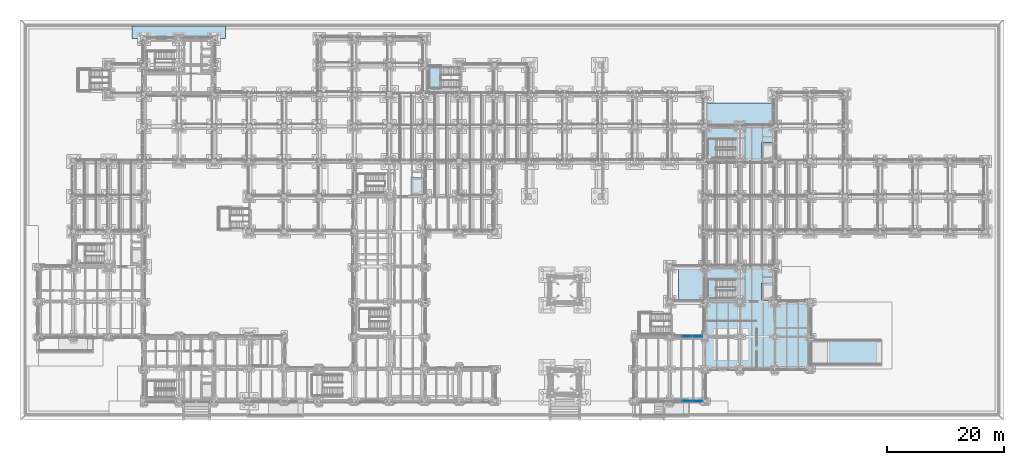
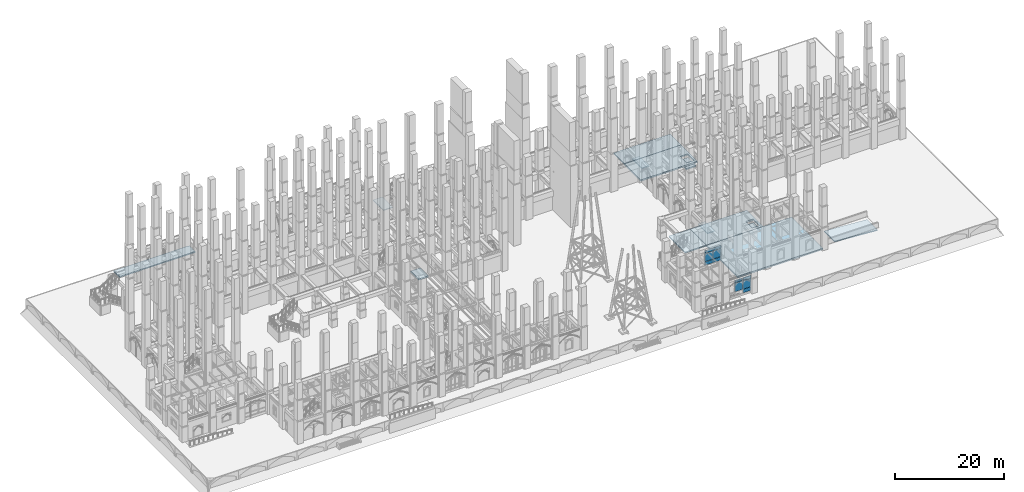
# One storey, part 55 of 135: 13 slabs, 11 plates, 6 elements without a shape of their own.
"""IFC4 building model written with IfcOpenShell, lengths in metres."""

import ifcopenshell
import ifcopenshell.guid

model = None  # the IFC model being written
_history = None  # IfcOwnerHistory: only IFC2X3 demands one
_inside = {}  # id of a spatial element -> (the spatial element, [elements in it])
_under = {}  # id of a project, library or spatial element -> (it, [spatial elements below it])
_declared = {}  # id of a project -> (the project, [libraries it declares])
_typed = {}  # id of a type object -> (the type object, [elements of that type])
_made_of = {}  # id of a material, layer set ... -> (it, [elements and type objects made of it])


def new_model(schema):
    """Start an empty IFC model of exactly this schema.

    Asked for "IFC4X3", IfcOpenShell would pick the latest addendum, in which some entities
    have other attributes; the version numbers below select the first issue.
    IFC2X3 requires an IfcOwnerHistory on every rooted entity: one is made here for all.
    """
    global model, _history
    if schema == "IFC4X3":
        model = ifcopenshell.file(schema_version=(4, 3, 0, 0))
    else:
        model = ifcopenshell.file(schema=schema)
    _inside.clear()
    _under.clear()
    _declared.clear()
    _typed.clear()
    _made_of.clear()
    _history = None
    if model.schema == "IFC2X3":
        org = make("IfcOrganization", Name="unknown")
        user = make(
            "IfcPersonAndOrganization",
            ThePerson=make("IfcPerson", FamilyName="unknown"),
            TheOrganization=org,
        )
        app = make(
            "IfcApplication",
            ApplicationDeveloper=org,
            Version="unknown",
            ApplicationFullName="unknown",
            ApplicationIdentifier="unknown",
        )
        _history = make(
            "IfcOwnerHistory",
            OwningUser=user,
            OwningApplication=app,
            ChangeAction="ADDED",
            CreationDate=0,
        )
    return model


def make(cls, **values):
    """One entity of the class cls with the attributes given. An attribute that is None is left unset."""
    return model.create_entity(
        cls, **{name: value for name, value in values.items() if value is not None}
    )


def rooted(cls, **values):
    """An entity with a GlobalId (a new one), such as an element, a storey or a relation."""
    return make(cls, GlobalId=ifcopenshell.guid.new(), OwnerHistory=_history, **values)


def si_unit(unit_type, name, prefix=None):
    """IfcSIUnit, for example si_unit("LENGTHUNIT", "METRE", prefix="MILLI")."""
    return make("IfcSIUnit", UnitType=unit_type, Prefix=prefix, Name=name)


def assignment(units):
    """IfcUnitAssignment: the units of a project."""
    return None if units is None else make("IfcUnitAssignment", Units=units)


def point(xyz):
    """IfcCartesianPoint."""
    return None if xyz is None else make("IfcCartesianPoint", Coordinates=xyz)


def direction(xyz):
    """IfcDirection."""
    return None if xyz is None else make("IfcDirection", DirectionRatios=xyz)


def frame(location, z_axis=None, x_axis=None):
    """IfcAxis2Placement3D, a coordinate frame: its origin and axes. An axis left out is left unset."""
    return make(
        "IfcAxis2Placement3D",
        Location=point(location),
        Axis=direction(z_axis),
        RefDirection=direction(x_axis),
    )


def frame_2d(location, x_axis=None):
    """IfcAxis2Placement2D, a coordinate frame in the plane: its origin and x axis."""
    return make(
        "IfcAxis2Placement2D", Location=point(location), RefDirection=direction(x_axis)
    )


def origin():
    """The frame at (0, 0, 0) with its axes left unset."""
    return frame((0.0, 0.0, 0.0))


def origin_2d():
    """The frame at (0, 0) in the plane with its x axis left unset."""
    return frame_2d((0.0, 0.0))


def place(relative_to, where):
    """IfcLocalPlacement: puts the frame where relative to a parent placement (None: the world)."""
    return make(
        "IfcLocalPlacement", PlacementRelTo=relative_to, RelativePlacement=where
    )


def context(
    kind, dimensions, precision=None, world=None, true_north=None, identifier=None
):
    """IfcGeometricRepresentationContext, for example the 3D "Model" context."""
    return make(
        "IfcGeometricRepresentationContext",
        ContextIdentifier=identifier,
        ContextType=kind,
        CoordinateSpaceDimension=dimensions,
        Precision=precision,
        WorldCoordinateSystem=world,
        TrueNorth=true_north,
    )


def subcontext(parent, identifier, kind, view, scale=None):
    """IfcGeometricRepresentationSubContext, for example "Body" below "Model"."""
    return make(
        "IfcGeometricRepresentationSubContext",
        ContextIdentifier=identifier,
        ContextType=kind,
        ParentContext=parent,
        TargetScale=scale,
        TargetView=view,
    )


def project(units=None, contexts=None):
    """IfcProject with its units and contexts."""
    return rooted(
        "IfcProject",
        Name="project",
        RepresentationContexts=contexts,
        UnitsInContext=assignment(units),
    )


def spatial(cls, under=None, at=None, **own):
    """A site, building, storey or space (cls), placed at a placement, below another one or the project."""
    s = rooted(cls, ObjectPlacement=at, **own)
    if under is not None:
        _under.setdefault(under.id(), (under, []))[1].append(s)
    return s


def polyline(points):
    """IfcPolyline through the points."""
    return make("IfcPolyline", Points=[point(p) for p in points])


def profile(cls, at=None, kind="AREA", **sizes):
    """A parametric profile (cls). Its sizes go by their IFC names, for example OverallWidth=200.0."""
    return make(cls, ProfileType=kind, Position=at, **sizes)


def rectangle(**sizes):
    """IfcRectangleProfileDef."""
    return profile("IfcRectangleProfileDef", **sizes)


def outline(outer, holes=None, kind="AREA"):
    """IfcArbitraryClosedProfileDef: a profile drawn as a closed curve; with holes, ...WithVoids."""
    if holes is None:
        return make("IfcArbitraryClosedProfileDef", ProfileType=kind, OuterCurve=outer)
    return make(
        "IfcArbitraryProfileDefWithVoids",
        ProfileType=kind,
        OuterCurve=outer,
        InnerCurves=holes,
    )


def extrude(swept, where, along, depth):
    """IfcExtrudedAreaSolid: the profile swept, set in the frame where, extruded along a direction by depth."""
    return make(
        "IfcExtrudedAreaSolid",
        SweptArea=swept,
        Position=where,
        ExtrudedDirection=direction(along),
        Depth=depth,
    )


def shape(context_of_items, identifier, shape_type, items):
    """IfcShapeRepresentation: the items that make up one representation, for example the "Body"."""
    return make(
        "IfcShapeRepresentation",
        ContextOfItems=context_of_items,
        RepresentationIdentifier=identifier,
        RepresentationType=shape_type,
        Items=items,
    )


def material(Name=None, Category=None):
    """IfcMaterial."""
    return make("IfcMaterial", Name=Name, Category=Category)


def layer(
    of_material, thickness, ventilated=None, Name=None, Category=None, Priority=None
):
    """IfcMaterialLayer: one layer of a wall or slab, of a material (None: an air gap)."""
    return make(
        "IfcMaterialLayer",
        Material=of_material,
        LayerThickness=thickness,
        IsVentilated=ventilated,
        Name=Name,
        Category=Category,
        Priority=Priority,
    )


def layer_set(layers, Name=None):
    """IfcMaterialLayerSet."""
    return make("IfcMaterialLayerSet", MaterialLayers=layers, LayerSetName=Name)


def made_of(thing, what):
    """Note that an element or type object is made of a material, layer set ...; save() writes the relation."""
    if what is not None:
        _made_of.setdefault(what.id(), (what, []))[1].append(thing)
    return thing


def type_object(cls, material=None, **own):
    """A type object (cls), such as IfcWallType, which elements share."""
    return made_of(rooted(cls, **own), material)


def element(
    cls,
    number,
    at=None,
    inside=None,
    cuts=None,
    type_object=None,
    material=None,
    context=None,
    identifier="Body",
    shape_type=None,
    held_by="IfcProductDefinitionShape",
    body=None,
    shapes=None,
    **own,
):
    """One element of the class cls, such as IfcWall. Its Tag is "e" and its number.

    at: its placement. inside: the storey or other place that contains it. cuts: it is an
    opening in that element (IfcRelVoidsElement). A single representation is given by context,
    identifier, shape_type and body (its items); several are given by shapes. held_by: the class
    of the entity that holds the representations. save() writes the other relations.
    """
    e = rooted(cls, Tag="e%d" % number, ObjectPlacement=at, **own)
    if body is not None:
        shapes = [shape(context, identifier, shape_type, body)]
    if shapes is not None:
        e.Representation = make(held_by, Representations=shapes)
    if inside is not None:
        _inside.setdefault(inside.id(), (inside, []))[1].append(e)
    if cuts is not None:
        rooted(
            "IfcRelVoidsElement", RelatingBuildingElement=cuts, RelatedOpeningElement=e
        )
    if type_object is not None:
        _typed.setdefault(type_object.id(), (type_object, []))[1].append(e)
    return made_of(e, material)


def aggregate(whole, parts):
    """IfcRelAggregates: a whole, such as a stair, and the parts it consists of."""
    return rooted("IfcRelAggregates", RelatingObject=whole, RelatedObjects=parts)


def save(model, path):
    """Write the relations noted so far, then the file.

    IfcRelAggregates (storeys below a building ...), IfcRelContainedInSpatialStructure (elements
    in a storey), IfcRelDefinesByType, IfcRelAssociatesMaterial and IfcRelDeclares: one each for
    every whole, place, type object, material and project.
    """
    for whole, parts in _under.values():
        aggregate(whole, parts)
    for where, things in _inside.values():
        rooted(
            "IfcRelContainedInSpatialStructure",
            RelatedElements=things,
            RelatingStructure=where,
        )
    for kind, things in _typed.values():
        rooted("IfcRelDefinesByType", RelatedObjects=things, RelatingType=kind)
    for what, things in _made_of.values():
        rooted("IfcRelAssociatesMaterial", RelatedObjects=things, RelatingMaterial=what)
    for by, libraries in _declared.values():
        rooted("IfcRelDeclares", RelatingContext=by, RelatedDefinitions=libraries)
    model.write(path)


model = new_model("IFC4")

# Units and contexts
model_context = context("Model", 3, precision=1e-05, world=origin(), true_north=direction((0.0, 1.0)))
body_context = subcontext(model_context, "Body", "Model", "MODEL_VIEW")
ifc_project = project(units=[si_unit("LENGTHUNIT", "METRE"), si_unit("AREAUNIT", "SQUARE_METRE"), si_unit("VOLUMEUNIT", "CUBIC_METRE"), si_unit("PLANEANGLEUNIT", "RADIAN"), si_unit("MASSUNIT", "GRAM", prefix="KILO")], contexts=[model_context])

# Site, building, storey
site_placement = place(None, origin())
site = spatial("IfcSite", under=ifc_project, at=site_placement, CompositionType="ELEMENT")
building_placement = place(site_placement, origin())
building = spatial("IfcBuilding", under=site, at=building_placement, Name="Cumevento Cable Car Station", CompositionType="ELEMENT")
storey_placement = place(building_placement, origin())
storey = spatial("IfcBuildingStorey", under=building, at=storey_placement, Name="L01", CompositionType="ELEMENT", Elevation=0.0)

# Slabs
ifc_material_1 = material(Name="Concrete C40/50", Category="concrete")
ifc_layer_1 = layer(ifc_material_1, 0.2900390625)
ifc_layer_set_1 = layer_set([ifc_layer_1], Name="Concrete C40/50")
slab_type_1 = type_object("IfcSlabType", Name="Concrete Deck BS-290 290", PredefinedType="BASESLAB", material=ifc_layer_set_1)
slab_1_placement = place(storey_placement, frame((0.0, 0.0, -1.340087890625)))
element("IfcSlab", 1, at=slab_1_placement, inside=storey, type_object=slab_type_1, Name="Lift Pit Base Slab LF-01", PredefinedType="BASESLAB", context=body_context, shape_type="SweptSolid", body=[
    extrude(outline(polyline([(67.739990234375, 39.280029296875), (69.840087890625, 39.280029296875), (69.840087890625, 42.219970703125), (67.739990234375, 42.219970703125), (67.739990234375, 39.280029296875)])), origin(), (0.0, 0.0, 1.0), 0.2900390625),
])
slab_2_placement = place(storey_placement, frame((0.0, 0.0, -1.340087890625)))
element("IfcSlab", 2, at=slab_2_placement, inside=storey, type_object=slab_type_1, Name="Lift Pit Base Slab LF-05", PredefinedType="BASESLAB", context=body_context, shape_type="SweptSolid", body=[
    extrude(outline(polyline([(127.739990234375, 21.280029296875), (129.840087890625, 21.280029296875), (129.840087890625, 24.219970703125), (127.739990234375, 24.219970703125), (127.739990234375, 21.280029296875)])), origin(), (0.0, 0.0, 1.0), 0.2900390625),
])
slab_3_placement = place(storey_placement, frame((0.0, 0.0, -1.340087890625)))
element("IfcSlab", 3, at=slab_3_placement, inside=storey, type_object=slab_type_1, Name="Lift Pit Base Slab LF-06", PredefinedType="BASESLAB", context=body_context, shape_type="SweptSolid", body=[
    extrude(outline(polyline([(127.739990234375, 45.280029296875), (129.840087890625, 45.280029296875), (129.840087890625, 48.219970703125), (127.739990234375, 48.219970703125), (127.739990234375, 45.280029296875)])), origin(), (0.0, 0.0, 1.0), 0.2900390625),
])
ifc_material_2 = material(Name="Concrete C40/50", Category="concrete")
ifc_layer_2 = layer(ifc_material_2, 0.330078125)
ifc_layer_set_2 = layer_set([ifc_layer_2], Name="Concrete C40/50")
slab_type_2 = type_object("IfcSlabType", Name="Concrete Deck BS-330 330", PredefinedType="BASESLAB", material=ifc_layer_set_2)
slab_4_placement = place(storey_placement, frame((0.0, 0.0, -0.330078125)))
element("IfcSlab", 4, at=slab_4_placement, inside=storey, type_object=slab_type_2, Name="Base Slab BS-330 L01 B_V5c_core.1", PredefinedType="BASESLAB", context=body_context, shape_type="SweptSolid", body=[
    extrude(outline(polyline([(118.0, 45.0), (130.0, 45.0), (130.0, 51.0), (118.0, 51.0), (118.0, 45.0)]), holes=[polyline([(128.010009765625, 45.5400390625), (129.580078125, 45.5400390625), (129.580078125, 47.9599609375), (128.010009765625, 47.9599609375), (128.010009765625, 45.5400390625)])]), origin(), (0.0, 0.0, 1.0), 0.330078125),
])
ifc_material_3 = material(Name="Concrete C40/50", Category="concrete")
ifc_layer_3 = layer(ifc_material_3, 0.35009765625)
ifc_layer_set_3 = layer_set([ifc_layer_3], Name="Concrete C40/50")
slab_type_3 = type_object("IfcSlabType", Name="Concrete Deck BS-350 350", PredefinedType="BASESLAB", material=ifc_layer_set_3)
slab_5_placement = place(storey_placement, frame((0.0, 0.0, -0.35009765625)))
element("IfcSlab", 5, at=slab_5_placement, inside=storey, type_object=slab_type_3, Name="Base Slab BS-350 L01 B_V4a.1", PredefinedType="BASESLAB", context=body_context, shape_type="SweptSolid", body=[
    extrude(outline(polyline([(118.0, 9.5), (136.0, 9.5), (136.0, 21.0), (118.0, 21.0), (118.0, 9.5)])), origin(), (0.0, 0.0, 1.0), 0.35009765625),
])
ifc_material_4 = material(Name="Concrete C40/50", Category="concrete")
ifc_layer_4 = layer(ifc_material_4, 0.3701171875)
ifc_layer_set_4 = layer_set([ifc_layer_4], Name="Concrete C40/50")
slab_type_4 = type_object("IfcSlabType", Name="Concrete Deck BS-370 370", PredefinedType="BASESLAB", material=ifc_layer_set_4)
slab_6_placement = place(storey_placement, frame((0.0, 0.0, -0.3701171875)))
element("IfcSlab", 6, at=slab_6_placement, inside=storey, type_object=slab_type_4, Name="Base Slab BS-370 L01 B_V4b_core.1", PredefinedType="BASESLAB", context=body_context, shape_type="SweptSolid", body=[
    extrude(outline(polyline([(118.0, 21.0), (130.0, 21.0), (130.0, 27.0), (118.0, 27.0), (118.0, 21.0)]), holes=[polyline([(128.010009765625, 21.5400390625), (129.580078125, 21.5400390625), (129.580078125, 23.9599609375), (128.010009765625, 23.9599609375), (128.010009765625, 21.5400390625)])]), origin(), (0.0, 0.0, 1.0), 0.3701171875),
])
ifc_material_5 = material(Name="Concrete C40/50", Category="concrete")
ifc_layer_5 = layer(ifc_material_5, 0.25)
ifc_layer_set_5 = layer_set([ifc_layer_5], Name="Concrete C40/50")
slab_type_5 = type_object("IfcSlabType", Name="Exterior Apron Slab AP-250", PredefinedType="BASESLAB", material=ifc_layer_set_5)
slab_7_placement = place(storey_placement, frame((0.0, 0.0, -0.25)))
element("IfcSlab", 7, at=slab_7_placement, inside=storey, type_object=slab_type_5, Name="Exterior Paved Apron apron_N_trail #1", PredefinedType="BASESLAB", context=body_context, shape_type="SweptSolid", body=[
    extrude(outline(polyline([(20.0, 66.0), (20.0, 68.199951171875), (36.0, 68.199951171875), (36.0, 66.0), (34.010009765625, 66.0), (34.010009765625, 66.0009765625), (34.009765625, 66.001953125), (34.009521484375, 66.0029296875), (34.00927734375, 66.00390625), (34.0087890625, 66.004638671875), (34.00830078125, 66.005615234375), (34.0078125, 66.00634765625), (34.007080078125, 66.007080078125), (34.00634765625, 66.0078125), (34.005615234375, 66.00830078125), (34.004638671875, 66.0087890625), (34.00390625, 66.00927734375), (34.0029296875, 66.009521484375), (34.001953125, 66.009765625), (34.0009765625, 66.010009765625), (34.0, 66.010009765625), (22.0, 66.010009765625), (21.9990234375, 66.010009765625), (21.998046875, 66.009765625), (21.9970703125, 66.009521484375), (21.99609375, 66.00927734375), (21.995361328125, 66.0087890625), (21.994384765625, 66.00830078125), (21.99365234375, 66.0078125), (21.992919921875, 66.007080078125), (21.9921875, 66.00634765625), (21.99169921875, 66.005615234375), (21.9912109375, 66.004638671875), (21.99072265625, 66.00390625), (21.990478515625, 66.0029296875), (21.990234375, 66.001953125), (21.989990234375, 66.0009765625), (21.989990234375, 66.0), (20.0, 66.0)])), origin(), (0.0, 0.0, 1.0), 0.25),
])
slab_8_placement = place(storey_placement, frame((0.0, 0.0, -0.25)))
element("IfcSlab", 8, at=slab_8_placement, inside=storey, type_object=slab_type_5, Name="Exterior Paved Apron apron_NE_core6 #1", PredefinedType="BASESLAB", context=body_context, shape_type="SweptSolid", body=[
    extrude(outline(polyline([(118.0, 55.0), (130.0, 55.0), (130.0, 51.010009765625), (118.0, 51.010009765625), (118.0, 55.0)])), origin(), (0.0, 0.0, 1.0), 0.25),
])
slab_9_placement = place(storey_placement, frame((0.0, 0.0, -0.25)))
element("IfcSlab", 9, at=slab_9_placement, inside=storey, type_object=slab_type_5, Name="Exterior Paved Apron apron_C5_court #1", PredefinedType="BASESLAB", context=body_context, shape_type="SweptSolid", body=[
    extrude(outline(polyline([(113.5, 21.0), (113.5, 27.0), (117.989990234375, 27.0), (117.989990234375, 21.0), (113.5, 21.0)])), origin(), (0.0, 0.0, 1.0), 0.25),
])

# Curtain wall, plates
ifc_material_6 = material(Name="Anodised Bronze Aluminium AW-6063-T6", Category="aluminium")
ifc_layer_6 = layer(ifc_material_6, 0.23193359375)
ifc_layer_set_6 = layer_set([ifc_layer_6], Name="Anodised Bronze Aluminium AW-6063-T6")
curtain_wall_type_1 = type_object("IfcCurtainWallType", Name="Lancet Curtain Wall CW-13 1530", PredefinedType="NOTDEFINED", material=ifc_layer_set_6)
curtain_wall_1_placement = place(storey_placement, origin())
curtain_wall_1 = element("IfcCurtainWall", 10, at=curtain_wall_1_placement, inside=storey, type_object=curtain_wall_type_1, Name="Lancet Curtain Wall CW-13 L01 #12", PredefinedType="NOTDEFINED")
ifc_material_7 = material(Name="Insulated Bronze Aluminium Spandrel Panel", Category="aluminium")
ifc_layer_7 = layer(ifc_material_7, 0.077880859375)
ifc_layer_set_7 = layer_set([ifc_layer_7], Name="Insulated Bronze Aluminium Spandrel Panel")
plate_type_1 = type_object("IfcPlateType", Name="Spandrel Panel CWP-13 78", PredefinedType="CURTAIN_PANEL", material=ifc_layer_set_7)
plate_1_placement = place(storey_placement, frame((116.712890625, 4.0, 0.425048828125), z_axis=(0.0, 0.0, 1.0), x_axis=(-1.0, 0.0, 0.0)))
plate_1 = element("IfcPlate", 11, at=plate_1_placement, type_object=plate_type_1, Name="CW-13 panel 1.1", PredefinedType="CURTAIN_PANEL", context=body_context, shape_type="SweptSolid", body=[
    extrude(rectangle(XDim=1.644287109375, YDim=0.077880859375, at=origin_2d()), origin(), (0.0, 0.0, 1.0), 0.75244140625),
])
plate_2_placement = place(storey_placement, frame((116.712890625, 4.0, 1.24267578125), z_axis=(0.0, 0.0, 1.0), x_axis=(-1.0, 0.0, 0.0)))
plate_2 = element("IfcPlate", 12, at=plate_2_placement, type_object=plate_type_1, Name="CW-13 panel 1.2", PredefinedType="CURTAIN_PANEL", context=body_context, shape_type="SweptSolid", body=[
    extrude(rectangle(XDim=1.644287109375, YDim=0.077880859375, at=origin_2d()), origin(), (0.0, 0.0, 1.0), 1.882080078125),
])
plate_3_placement = place(storey_placement, frame((116.712890625, 4.0, 3.189453125), z_axis=(0.0, 0.0, 1.0), x_axis=(-1.0, 0.0, 0.0)))
plate_3 = element("IfcPlate", 13, at=plate_3_placement, type_object=plate_type_1, Name="CW-13 panel 1.3", PredefinedType="CURTAIN_PANEL", context=body_context, shape_type="SweptSolid", body=[
    extrude(rectangle(XDim=1.644287109375, YDim=0.077880859375, at=origin_2d()), origin(), (0.0, 0.0, 1.0), 0.6025390625),
])
plate_4_placement = place(storey_placement, frame((114.987548828125, 4.0, 1.24267578125), z_axis=(0.0, 0.0, 1.0), x_axis=(-1.0, 0.0, 0.0)))
plate_4 = element("IfcPlate", 14, at=plate_4_placement, type_object=plate_type_1, Name="CW-13 panel 2.2", PredefinedType="CURTAIN_PANEL", context=body_context, shape_type="SweptSolid", body=[
    extrude(rectangle(XDim=1.6767578125, YDim=0.077880859375, at=origin_2d()), origin(), (0.0, 0.0, 1.0), 1.882080078125),
])
plate_5_placement = place(storey_placement, frame((114.987548828125, 4.0, 3.189453125), z_axis=(0.0, 0.0, 1.0), x_axis=(-1.0, 0.0, 0.0)))
plate_5 = element("IfcPlate", 15, at=plate_5_placement, type_object=plate_type_1, Name="CW-13 panel 2.3", PredefinedType="CURTAIN_PANEL", context=body_context, shape_type="SweptSolid", body=[
    extrude(rectangle(XDim=1.6767578125, YDim=0.077880859375, at=origin_2d()), origin(), (0.0, 0.0, 1.0), 0.6025390625),
])
aggregate(curtain_wall_1, [plate_1, plate_2, plate_3, plate_4, plate_5])

ifc_material_8 = material(Name="Anodised Bronze Aluminium AW-6063-T6", Category="aluminium")
ifc_layer_8 = layer(ifc_material_8, 0.238037109375)
ifc_layer_set_8 = layer_set([ifc_layer_8], Name="Anodised Bronze Aluminium AW-6063-T6")
curtain_wall_type_2 = type_object("IfcCurtainWallType", Name="Lancet Curtain Wall CW-14 1570", PredefinedType="NOTDEFINED", material=ifc_layer_set_8)
curtain_wall_2_placement = place(storey_placement, origin())
curtain_wall_2 = element("IfcCurtainWall", 16, at=curtain_wall_2_placement, inside=storey, type_object=curtain_wall_type_2, Name="Lancet Curtain Wall CW-14 L01 #13", PredefinedType="NOTDEFINED")
ifc_material_9 = material(Name="Insulated Bronze Aluminium Spandrel Panel", Category="aluminium")
ifc_layer_9 = layer(ifc_material_9, 0.0849609375)
ifc_layer_set_9 = layer_set([ifc_layer_9], Name="Insulated Bronze Aluminium Spandrel Panel")
plate_type_2 = type_object("IfcPlateType", Name="Spandrel Panel CWP-14 85", PredefinedType="CURTAIN_PANEL", material=ifc_layer_set_9)
plate_6_placement = place(storey_placement, frame((115.0, 15.0, 0.47509765625), z_axis=(0.0, 0.0, 1.0), x_axis=(1.0, 0.0, 0.0)))
plate_6 = element("IfcPlate", 17, at=plate_6_placement, type_object=plate_type_2, Name="CW-14 panel 2.1", PredefinedType="CURTAIN_PANEL", context=body_context, shape_type="SweptSolid", body=[
    extrude(rectangle(XDim=1.68505859375, YDim=0.0849609375, at=origin_2d()), origin(), (0.0, 0.0, 1.0), 0.75244140625),
])
plate_7_placement = place(storey_placement, frame((115.0, 15.0, 1.29248046875), z_axis=(0.0, 0.0, 1.0), x_axis=(1.0, 0.0, 0.0)))
plate_7 = element("IfcPlate", 18, at=plate_7_placement, type_object=plate_type_2, Name="CW-14 panel 2.2", PredefinedType="CURTAIN_PANEL", context=body_context, shape_type="SweptSolid", body=[
    extrude(rectangle(XDim=1.68505859375, YDim=0.0849609375, at=origin_2d()), origin(), (0.0, 0.0, 1.0), 1.7958984375),
])
plate_8_placement = place(storey_placement, frame((115.0, 15.0, 3.153564453125), z_axis=(0.0, 0.0, 1.0), x_axis=(1.0, 0.0, 0.0)))
plate_8 = element("IfcPlate", 19, at=plate_8_placement, type_object=plate_type_2, Name="CW-14 panel 2.3", PredefinedType="CURTAIN_PANEL", context=body_context, shape_type="SweptSolid", body=[
    extrude(rectangle(XDim=1.68505859375, YDim=0.0849609375, at=origin_2d()), origin(), (0.0, 0.0, 1.0), 0.6025390625),
])
plate_9_placement = place(storey_placement, frame((116.733642578125, 15.0, 0.47509765625), z_axis=(0.0, 0.0, 1.0), x_axis=(1.0, 0.0, 0.0)))
plate_9 = element("IfcPlate", 20, at=plate_9_placement, type_object=plate_type_2, Name="CW-14 panel 3.1", PredefinedType="CURTAIN_PANEL", context=body_context, shape_type="SweptSolid", body=[
    extrude(rectangle(XDim=1.652587890625, YDim=0.0849609375, at=origin_2d()), origin(), (0.0, 0.0, 1.0), 0.75244140625),
])
plate_10_placement = place(storey_placement, frame((116.733642578125, 15.0, 1.29248046875), z_axis=(0.0, 0.0, 1.0), x_axis=(1.0, 0.0, 0.0)))
plate_10 = element("IfcPlate", 21, at=plate_10_placement, type_object=plate_type_2, Name="CW-14 panel 3.2", PredefinedType="CURTAIN_PANEL", context=body_context, shape_type="SweptSolid", body=[
    extrude(rectangle(XDim=1.652587890625, YDim=0.0849609375, at=origin_2d()), origin(), (0.0, 0.0, 1.0), 1.7958984375),
])
plate_11_placement = place(storey_placement, frame((116.733642578125, 15.0, 3.153564453125), z_axis=(0.0, 0.0, 1.0), x_axis=(1.0, 0.0, 0.0)))
plate_11 = element("IfcPlate", 22, at=plate_11_placement, type_object=plate_type_2, Name="CW-14 panel 3.3", PredefinedType="CURTAIN_PANEL", context=body_context, shape_type="SweptSolid", body=[
    extrude(rectangle(XDim=1.652587890625, YDim=0.0849609375, at=origin_2d()), origin(), (0.0, 0.0, 1.0), 0.6025390625),
])
aggregate(curtain_wall_2, [plate_6, plate_7, plate_8, plate_9, plate_10, plate_11])

# Stair, slab
ifc_material_10 = material(Name="Concrete C40/50", Category="concrete")
stair_type_1 = type_object("IfcStairType", Name="Half-Turn Stair ST-T04 1350", PredefinedType="HALF_TURN_STAIR", material=ifc_material_10)
stair_1_placement = place(storey_placement, origin())
stair_1 = element("IfcStair", 23, at=stair_1_placement, inside=storey, type_object=stair_type_1, Name="NE Hillside Station Plinth Stone Stair L01-L02", PredefinedType="HALF_TURN_STAIR")
ifc_material_11 = material(Name="Concrete C40/50", Category="concrete")
ifc_layer_10 = layer(ifc_material_11, 0.20703125)
ifc_layer_set_10 = layer_set([ifc_layer_10], Name="Concrete C40/50")
slab_type_6 = type_object("IfcSlabType", Name="Stair Landing STL-T04 207", PredefinedType="LANDING", material=ifc_layer_set_10)
slab_10_placement = place(storey_placement, frame((0.0, 0.0, 2.04296875)))
slab_10 = element("IfcSlab", 24, at=slab_10_placement, type_object=slab_type_6, Name="ST-17 Half-Landing", PredefinedType="LANDING", context=body_context, shape_type="SweptSolid", body=[
    extrude(outline(polyline([(70.820068359375, 57.469970703125), (72.800048828125, 57.469970703125), (72.800048828125, 61.22998046875), (70.820068359375, 61.22998046875), (70.820068359375, 57.469970703125)])), origin(), (0.0, 0.0, 1.0), 0.20703125),
])
aggregate(stair_1, [slab_10])

ifc_material_12 = material(Name="Concrete C40/50", Category="concrete")
stair_type_2 = type_object("IfcStairType", Name="Half-Turn Stair ST-T05 1380", PredefinedType="HALF_TURN_STAIR", material=ifc_material_12)
stair_2_placement = place(storey_placement, origin())
stair_2 = element("IfcStair", 25, at=stair_2_placement, inside=storey, type_object=stair_type_2, Name="Enclosed Exit Stair ST-05 (L01 to L02)", PredefinedType="HALF_TURN_STAIR")
ifc_material_13 = material(Name="Concrete C40/50", Category="concrete")
ifc_layer_11 = layer(ifc_material_13, 0.215087890625)
ifc_layer_set_11 = layer_set([ifc_layer_11], Name="Concrete C40/50")
slab_type_7 = type_object("IfcSlabType", Name="Stair Landing STL-T05 215", PredefinedType="LANDING", material=ifc_layer_set_11)
slab_11_placement = place(storey_placement, frame((0.0, 0.0, 2.034912109375)))
slab_11 = element("IfcSlab", 26, at=slab_11_placement, type_object=slab_type_7, Name="ST-05-L01 Half-Landing", PredefinedType="LANDING", context=body_context, shape_type="SweptSolid", body=[
    extrude(outline(polyline([(118.43994140625, 21.43994140625), (120.0, 21.43994140625), (120.0, 24.929931640625), (118.43994140625, 24.929931640625), (118.43994140625, 21.43994140625)])), origin(), (0.0, 0.0, 1.0), 0.215087890625),
])
aggregate(stair_2, [slab_11])

ifc_material_14 = material(Name="Concrete C40/50", Category="concrete")
stair_type_3 = type_object("IfcStairType", Name="Half-Turn Stair ST-T06 1410", PredefinedType="HALF_TURN_STAIR", material=ifc_material_14)
stair_3_placement = place(storey_placement, origin())
stair_3 = element("IfcStair", 27, at=stair_3_placement, inside=storey, type_object=stair_type_3, Name="Enclosed Exit Stair ST-06 (L01 to L02)", PredefinedType="HALF_TURN_STAIR")
ifc_material_15 = material(Name="Concrete C40/50", Category="concrete")
ifc_layer_12 = layer(ifc_material_15, 0.222900390625)
ifc_layer_set_12 = layer_set([ifc_layer_12], Name="Concrete C40/50")
slab_type_8 = type_object("IfcSlabType", Name="Stair Landing STL-T06 223", PredefinedType="LANDING", material=ifc_layer_set_12)
slab_12_placement = place(storey_placement, frame((0.0, 0.0, 2.027099609375)))
slab_12 = element("IfcSlab", 28, at=slab_12_placement, type_object=slab_type_8, Name="ST-06-L01 Half-Landing", PredefinedType="LANDING", context=body_context, shape_type="SweptSolid", body=[
    extrude(outline(polyline([(118.43994140625, 45.43994140625), (120.0, 45.43994140625), (120.0, 48.929931640625), (118.43994140625, 48.929931640625), (118.43994140625, 45.43994140625)])), origin(), (0.0, 0.0, 1.0), 0.222900390625),
])
aggregate(stair_3, [slab_12])

# Ramp, slab
ifc_material_16 = material(Name="Concrete C40/50", Category="concrete")
ramp_type = type_object("IfcRampType", Name="Concrete Ramp RP-TYP", PredefinedType="STRAIGHT_RUN_RAMP", material=ifc_material_16)
ramp_placement = place(storey_placement, origin())
ramp = element("IfcRamp", 29, at=ramp_placement, inside=storey, type_object=ramp_type, Name="Vehicle Service Ramp RP-01", PredefinedType="STRAIGHT_RUN_RAMP")
ifc_material_17 = material(Name="Concrete C40/50", Category="concrete")
ifc_layer_13 = layer(ifc_material_17, 0.219970703125)
ifc_layer_set_13 = layer_set([ifc_layer_13], Name="Concrete C40/50")
slab_type_9 = type_object("IfcSlabType", Name="Vehicle Ramp Slab VR-220 220", PredefinedType="FLOOR", material=ifc_layer_set_13)
slab_13_placement = place(storey_placement, frame((138.919921875, 10.35009765625, 0.0), z_axis=(0.065945619246, 0.0, 0.997823218462), x_axis=(0.0, 1.0, 0.0)))
slab_13 = element("IfcSlab", 30, at=slab_13_placement, type_object=slab_type_9, Name="Vehicle Service Ramp RP-01 Sloped Slab", PredefinedType="FLOOR", context=body_context, shape_type="SweptSolid", body=[
    extrude(outline(polyline([(0.0, 0.0), (3.7998046875, 0.0), (3.7998046875, -9.099886590125191), (0.0, -9.099886590125191), (0.0, 0.0)])), origin(), (0.0, 0.0, -1.0), 0.219970703125),
])
aggregate(ramp, [slab_13])

save(model, "model.ifc")
